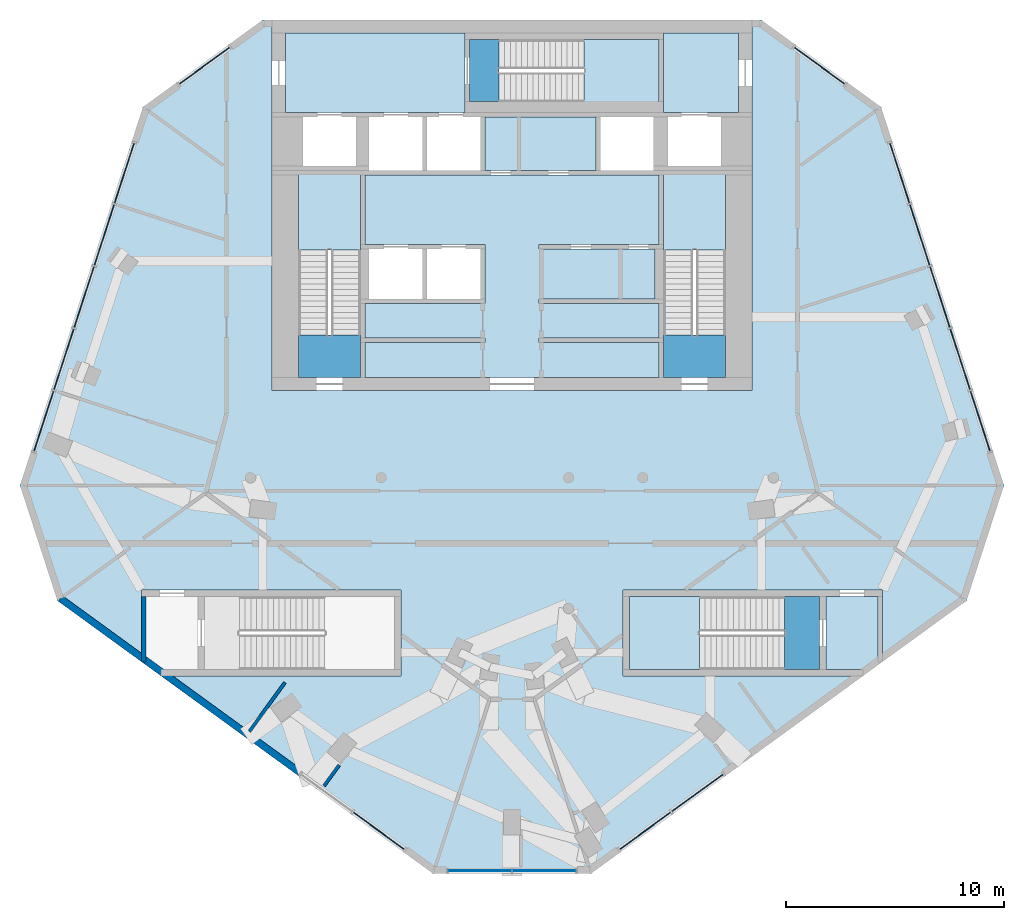
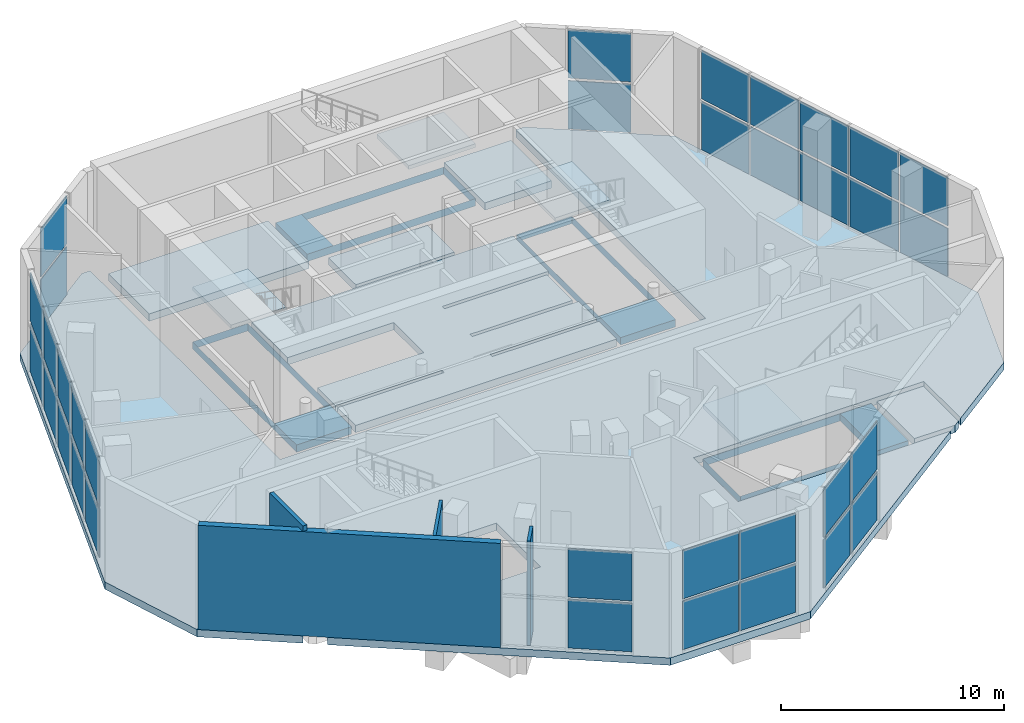
# One storey, part 5 of 11: 34 plates, 14 slabs, 4 walls, 11 elements without a shape of their own.
"""IFC4 building model written with IfcOpenShell, lengths in metres."""

from ifc_helpers import new_model, si_unit, direction, frame, frame_2d, origin, origin_2d, place, context, subcontext, project, spatial, polyline, rectangle, outline, extrude, material, layer, layer_set, type_object, element, aggregate, save


model = new_model("IFC4")

# Units and contexts
model_context = context("Model", 3, precision=1e-05, world=origin(), true_north=direction((0.0, 1.0)))
body_context = subcontext(model_context, "Body", "Model", "MODEL_VIEW")
ifc_project = project(units=[si_unit("LENGTHUNIT", "METRE"), si_unit("AREAUNIT", "SQUARE_METRE"), si_unit("VOLUMEUNIT", "CUBIC_METRE"), si_unit("PLANEANGLEUNIT", "RADIAN"), si_unit("MASSUNIT", "GRAM", prefix="KILO")], contexts=[model_context])

# Site, building, storey
site_placement = place(None, origin())
site = spatial("IfcSite", under=ifc_project, at=site_placement, CompositionType="ELEMENT")
building_placement = place(site_placement, origin())
building = spatial("IfcBuilding", under=site, at=building_placement, Name="White Candle Pilgrim Tower", CompositionType="ELEMENT")
storey_placement = place(building_placement, frame((0.0, 0.0, 300.10009765625)))
storey = spatial("IfcBuildingStorey", under=building, at=storey_placement, Name="L71", CompositionType="ELEMENT", Elevation=300.10009765625)

# Curtain wall, plates
ifc_material_1 = material(Name="Aluminium and glass", Category="aluminium")
curtain_wall_type = type_object("IfcCurtainWallType", Name="Curtain wall CW4 sky floor glazing", PredefinedType="NOTDEFINED", material=ifc_material_1)
curtain_wall_1_placement = place(storey_placement, origin())
curtain_wall_1 = element("IfcCurtainWall", 1, at=curtain_wall_1_placement, inside=storey, type_object=curtain_wall_type, Name="Curtain wall CW4 L71 SW", PredefinedType="NOTDEFINED")
ifc_material_2 = material(Name="Glass, triple glazed", Category="glass")
ifc_layer_1 = layer(ifc_material_2, 0.0439453125)
ifc_layer_set_1 = layer_set([ifc_layer_1], Name="CW4 glazing panel 44")
plate_type = type_object("IfcPlateType", Name="CW4 glazing panel 44", PredefinedType="CURTAIN_PANEL", material=ifc_layer_set_1)
plate_1_placement = place(storey_placement, frame((63.88623046875, 50.801025390625, 0.14013671875), z_axis=(0.0, 0.0, 1.0), x_axis=(0.809016988733, -0.587785260058, 0.0)))
plate_1 = element("IfcPlate", 2, at=plate_1_placement, type_object=plate_type, Name="CW4 panel 2.1", PredefinedType="CURTAIN_PANEL", context=body_context, shape_type="SweptSolid", body=[
    extrude(rectangle(XDim=2.8798828125, YDim=0.0439453125, at=origin_2d()), origin(), (0.0, 0.0, 1.0), 2.639892578125),
])
plate_2_placement = place(storey_placement, frame((63.88623046875, 50.801025390625, 2.919921875), z_axis=(0.0, 0.0, 1.0), x_axis=(0.809016988733, -0.587785260058, 0.0)))
plate_2 = element("IfcPlate", 3, at=plate_2_placement, type_object=plate_type, Name="CW4 panel 2.2", PredefinedType="CURTAIN_PANEL", context=body_context, shape_type="SweptSolid", body=[
    extrude(rectangle(XDim=2.8798828125, YDim=0.0439453125, at=origin_2d()), origin(), (0.0, 0.0, 1.0), 2.639892578125),
])
aggregate(curtain_wall_1, [plate_1, plate_2])

curtain_wall_2_placement = place(storey_placement, origin())
curtain_wall_2 = element("IfcCurtainWall", 4, at=curtain_wall_2_placement, inside=storey, type_object=curtain_wall_type, Name="Curtain wall CW4 L71 S chamfer", PredefinedType="NOTDEFINED")
plate_3_placement = place(storey_placement, frame((68.52001953125, 48.961181640625, 0.14013671875), z_axis=(0.0, 0.0, 1.0), x_axis=(1.0, 0.0, 0.0)))
plate_3 = element("IfcPlate", 5, at=plate_3_placement, type_object=plate_type, Name="CW4 panel 1.1", PredefinedType="CURTAIN_PANEL", context=body_context, shape_type="SweptSolid", body=[
    extrude(rectangle(XDim=2.8798828125, YDim=0.0439453125, at=origin_2d()), origin(), (0.0, 0.0, 1.0), 2.639892578125),
])
plate_4_placement = place(storey_placement, frame((68.52001953125, 48.961181640625, 2.919921875), z_axis=(0.0, 0.0, 1.0), x_axis=(1.0, 0.0, 0.0)))
plate_4 = element("IfcPlate", 6, at=plate_4_placement, type_object=plate_type, Name="CW4 panel 1.2", PredefinedType="CURTAIN_PANEL", context=body_context, shape_type="SweptSolid", body=[
    extrude(rectangle(XDim=2.8798828125, YDim=0.0439453125, at=origin_2d()), origin(), (0.0, 0.0, 1.0), 2.639892578125),
])
plate_5_placement = place(storey_placement, frame((71.47998046875, 48.961181640625, 0.14013671875), z_axis=(0.0, 0.0, 1.0), x_axis=(1.0, 0.0, 0.0)))
plate_5 = element("IfcPlate", 7, at=plate_5_placement, type_object=plate_type, Name="CW4 panel 2.1", PredefinedType="CURTAIN_PANEL", context=body_context, shape_type="SweptSolid", body=[
    extrude(rectangle(XDim=2.8798828125, YDim=0.0439453125, at=origin_2d()), origin(), (0.0, 0.0, 1.0), 2.639892578125),
])
plate_6_placement = place(storey_placement, frame((71.47998046875, 48.961181640625, 2.919921875), z_axis=(0.0, 0.0, 1.0), x_axis=(1.0, 0.0, 0.0)))
plate_6 = element("IfcPlate", 8, at=plate_6_placement, type_object=plate_type, Name="CW4 panel 2.2", PredefinedType="CURTAIN_PANEL", context=body_context, shape_type="SweptSolid", body=[
    extrude(rectangle(XDim=2.8798828125, YDim=0.0439453125, at=origin_2d()), origin(), (0.0, 0.0, 1.0), 2.639892578125),
])
aggregate(curtain_wall_2, [plate_3, plate_4, plate_5, plate_6])

curtain_wall_3_placement = place(storey_placement, origin())
curtain_wall_3 = element("IfcCurtainWall", 9, at=curtain_wall_3_placement, inside=storey, type_object=curtain_wall_type, Name="Curtain wall CW4 L71 SE", PredefinedType="NOTDEFINED")
plate_7_placement = place(storey_placement, frame((76.11376953125, 50.801025390625, 0.14013671875), z_axis=(0.0, 0.0, 1.0), x_axis=(0.809016988661, 0.587785260157, 0.0)))
plate_7 = element("IfcPlate", 10, at=plate_7_placement, type_object=plate_type, Name="CW4 panel 1.1", PredefinedType="CURTAIN_PANEL", context=body_context, shape_type="SweptSolid", body=[
    extrude(rectangle(XDim=2.8798828125, YDim=0.0439453125, at=origin_2d()), origin(), (0.0, 0.0, 1.0), 2.639892578125),
])
plate_8_placement = place(storey_placement, frame((76.11376953125, 50.801025390625, 2.919921875), z_axis=(0.0, 0.0, 1.0), x_axis=(0.809016988661, 0.587785260157, 0.0)))
plate_8 = element("IfcPlate", 11, at=plate_8_placement, type_object=plate_type, Name="CW4 panel 1.2", PredefinedType="CURTAIN_PANEL", context=body_context, shape_type="SweptSolid", body=[
    extrude(rectangle(XDim=2.8798828125, YDim=0.0439453125, at=origin_2d()), origin(), (0.0, 0.0, 1.0), 2.639892578125),
])
plate_9_placement = place(storey_placement, frame((78.508544921875, 52.541015625, 0.14013671875), z_axis=(0.0, 0.0, 1.0), x_axis=(0.809016988661, 0.587785260157, 0.0)))
plate_9 = element("IfcPlate", 12, at=plate_9_placement, type_object=plate_type, Name="CW4 panel 2.1", PredefinedType="CURTAIN_PANEL", context=body_context, shape_type="SweptSolid", body=[
    extrude(rectangle(XDim=2.8798828125, YDim=0.0439453125, at=origin_2d()), origin(), (0.0, 0.0, 1.0), 2.639892578125),
])
plate_10_placement = place(storey_placement, frame((78.508544921875, 52.541015625, 2.919921875), z_axis=(0.0, 0.0, 1.0), x_axis=(0.809016988661, 0.587785260157, 0.0)))
plate_10 = element("IfcPlate", 13, at=plate_10_placement, type_object=plate_type, Name="CW4 panel 2.2", PredefinedType="CURTAIN_PANEL", context=body_context, shape_type="SweptSolid", body=[
    extrude(rectangle(XDim=2.8798828125, YDim=0.0439453125, at=origin_2d()), origin(), (0.0, 0.0, 1.0), 2.639892578125),
])
aggregate(curtain_wall_3, [plate_7, plate_8, plate_9, plate_10])

curtain_wall_4_placement = place(storey_placement, origin())
curtain_wall_4 = element("IfcCurtainWall", 14, at=curtain_wall_4_placement, inside=storey, type_object=curtain_wall_type, Name="Curtain wall CW4 L71 ENE", PredefinedType="NOTDEFINED")
plate_11_placement = place(storey_placement, frame((91.48095703125, 69.60009765625, 0.14013671875), z_axis=(0.0, 0.0, 1.0), x_axis=(-0.309016978207, 0.951056521548, 0.0)))
plate_11 = element("IfcPlate", 15, at=plate_11_placement, type_object=plate_type, Name="CW4 panel 1.1", PredefinedType="CURTAIN_PANEL", context=body_context, shape_type="SweptSolid", body=[
    extrude(rectangle(XDim=2.8798828125, YDim=0.0439453125, at=origin_2d()), origin(), (0.0, 0.0, 1.0), 2.639892578125),
])
plate_12_placement = place(storey_placement, frame((91.48095703125, 69.60009765625, 2.919921875), z_axis=(0.0, 0.0, 1.0), x_axis=(-0.309016978207, 0.951056521548, 0.0)))
plate_12 = element("IfcPlate", 16, at=plate_12_placement, type_object=plate_type, Name="CW4 panel 1.2", PredefinedType="CURTAIN_PANEL", context=body_context, shape_type="SweptSolid", body=[
    extrude(rectangle(XDim=2.8798828125, YDim=0.0439453125, at=origin_2d()), origin(), (0.0, 0.0, 1.0), 2.639892578125),
])
plate_13_placement = place(storey_placement, frame((90.56005859375, 72.434326171875, 0.14013671875), z_axis=(0.0, 0.0, 1.0), x_axis=(-0.309016978207, 0.951056521548, 0.0)))
plate_13 = element("IfcPlate", 17, at=plate_13_placement, type_object=plate_type, Name="CW4 panel 2.1", PredefinedType="CURTAIN_PANEL", context=body_context, shape_type="SweptSolid", body=[
    extrude(rectangle(XDim=2.919921875, YDim=0.0439453125, at=origin_2d()), origin(), (0.0, 0.0, 1.0), 2.639892578125),
])
plate_14_placement = place(storey_placement, frame((90.56005859375, 72.434326171875, 2.919921875), z_axis=(0.0, 0.0, 1.0), x_axis=(-0.309016978207, 0.951056521548, 0.0)))
plate_14 = element("IfcPlate", 18, at=plate_14_placement, type_object=plate_type, Name="CW4 panel 2.2", PredefinedType="CURTAIN_PANEL", context=body_context, shape_type="SweptSolid", body=[
    extrude(rectangle(XDim=2.919921875, YDim=0.0439453125, at=origin_2d()), origin(), (0.0, 0.0, 1.0), 2.639892578125),
])
plate_15_placement = place(storey_placement, frame((89.633056640625, 75.287353515625, 0.14013671875), z_axis=(0.0, 0.0, 1.0), x_axis=(-0.309016978207, 0.951056521548, 0.0)))
plate_15 = element("IfcPlate", 19, at=plate_15_placement, type_object=plate_type, Name="CW4 panel 3.1", PredefinedType="CURTAIN_PANEL", context=body_context, shape_type="SweptSolid", body=[
    extrude(rectangle(XDim=2.919921875, YDim=0.0439453125, at=origin_2d()), origin(), (0.0, 0.0, 1.0), 2.639892578125),
])
plate_16_placement = place(storey_placement, frame((89.633056640625, 75.287353515625, 2.919921875), z_axis=(0.0, 0.0, 1.0), x_axis=(-0.309016978207, 0.951056521548, 0.0)))
plate_16 = element("IfcPlate", 20, at=plate_16_placement, type_object=plate_type, Name="CW4 panel 3.2", PredefinedType="CURTAIN_PANEL", context=body_context, shape_type="SweptSolid", body=[
    extrude(rectangle(XDim=2.919921875, YDim=0.0439453125, at=origin_2d()), origin(), (0.0, 0.0, 1.0), 2.639892578125),
])
plate_17_placement = place(storey_placement, frame((88.7060546875, 78.140625, 0.14013671875), z_axis=(0.0, 0.0, 1.0), x_axis=(-0.309016978207, 0.951056521548, 0.0)))
plate_17 = element("IfcPlate", 21, at=plate_17_placement, type_object=plate_type, Name="CW4 panel 4.1", PredefinedType="CURTAIN_PANEL", context=body_context, shape_type="SweptSolid", body=[
    extrude(rectangle(XDim=2.919921875, YDim=0.0439453125, at=origin_2d()), origin(), (0.0, 0.0, 1.0), 2.639892578125),
])
plate_18_placement = place(storey_placement, frame((88.7060546875, 78.140625, 2.919921875), z_axis=(0.0, 0.0, 1.0), x_axis=(-0.309016978207, 0.951056521548, 0.0)))
plate_18 = element("IfcPlate", 22, at=plate_18_placement, type_object=plate_type, Name="CW4 panel 4.2", PredefinedType="CURTAIN_PANEL", context=body_context, shape_type="SweptSolid", body=[
    extrude(rectangle(XDim=2.919921875, YDim=0.0439453125, at=origin_2d()), origin(), (0.0, 0.0, 1.0), 2.639892578125),
])
plate_19_placement = place(storey_placement, frame((87.78515625, 80.974853515625, 0.14013671875), z_axis=(0.0, 0.0, 1.0), x_axis=(-0.309016978207, 0.951056521548, 0.0)))
plate_19 = element("IfcPlate", 23, at=plate_19_placement, type_object=plate_type, Name="CW4 panel 5.1", PredefinedType="CURTAIN_PANEL", context=body_context, shape_type="SweptSolid", body=[
    extrude(rectangle(XDim=2.8798828125, YDim=0.0439453125, at=origin_2d()), origin(), (0.0, 0.0, 1.0), 2.639892578125),
])
plate_20_placement = place(storey_placement, frame((87.78515625, 80.974853515625, 2.919921875), z_axis=(0.0, 0.0, 1.0), x_axis=(-0.309016978207, 0.951056521548, 0.0)))
plate_20 = element("IfcPlate", 24, at=plate_20_placement, type_object=plate_type, Name="CW4 panel 5.2", PredefinedType="CURTAIN_PANEL", context=body_context, shape_type="SweptSolid", body=[
    extrude(rectangle(XDim=2.8798828125, YDim=0.0439453125, at=origin_2d()), origin(), (0.0, 0.0, 1.0), 2.639892578125),
])
aggregate(curtain_wall_4, [plate_11, plate_12, plate_13, plate_14, plate_15, plate_16, plate_17, plate_18, plate_19, plate_20])

curtain_wall_5_placement = place(storey_placement, origin())
curtain_wall_5 = element("IfcCurtainWall", 25, at=curtain_wall_5_placement, inside=storey, type_object=curtain_wall_type, Name="Curtain wall CW4 L71 NE chamfer", PredefinedType="NOTDEFINED")
plate_21_placement = place(storey_placement, frame((84.1103515625, 85.903076171875, 0.14013671875), z_axis=(0.0, 0.0, 1.0), x_axis=(-0.809017000222, 0.587785244244, 0.0)))
plate_21 = element("IfcPlate", 26, at=plate_21_placement, type_object=plate_type, Name="CW4 panel 1.1", PredefinedType="CURTAIN_PANEL", context=body_context, shape_type="SweptSolid", body=[
    extrude(rectangle(XDim=2.840087890625, YDim=0.0439453125, at=origin_2d()), origin(), (0.0, 0.0, 1.0), 2.639892578125),
])
plate_22_placement = place(storey_placement, frame((84.1103515625, 85.903076171875, 2.919921875), z_axis=(0.0, 0.0, 1.0), x_axis=(-0.809017000222, 0.587785244244, 0.0)))
plate_22 = element("IfcPlate", 27, at=plate_22_placement, type_object=plate_type, Name="CW4 panel 1.2", PredefinedType="CURTAIN_PANEL", context=body_context, shape_type="SweptSolid", body=[
    extrude(rectangle(XDim=2.840087890625, YDim=0.0439453125, at=origin_2d()), origin(), (0.0, 0.0, 1.0), 2.639892578125),
])
aggregate(curtain_wall_5, [plate_21, plate_22])

curtain_wall_6_placement = place(storey_placement, origin())
curtain_wall_6 = element("IfcCurtainWall", 28, at=curtain_wall_6_placement, inside=storey, type_object=curtain_wall_type, Name="Curtain wall CW4 L71 NW chamfer", PredefinedType="NOTDEFINED")
plate_23_placement = place(storey_placement, frame((55.8896484375, 85.903076171875, 0.14013671875), z_axis=(0.0, 0.0, 1.0), x_axis=(-0.809017000222, -0.587785244244, 0.0)))
plate_23 = element("IfcPlate", 29, at=plate_23_placement, type_object=plate_type, Name="CW4 panel 1.1", PredefinedType="CURTAIN_PANEL", context=body_context, shape_type="SweptSolid", body=[
    extrude(rectangle(XDim=2.840087890625, YDim=0.0439453125, at=origin_2d()), origin(), (0.0, 0.0, 1.0), 2.639892578125),
])
plate_24_placement = place(storey_placement, frame((55.8896484375, 85.903076171875, 2.919921875), z_axis=(0.0, 0.0, 1.0), x_axis=(-0.809017000222, -0.587785244244, 0.0)))
plate_24 = element("IfcPlate", 30, at=plate_24_placement, type_object=plate_type, Name="CW4 panel 1.2", PredefinedType="CURTAIN_PANEL", context=body_context, shape_type="SweptSolid", body=[
    extrude(rectangle(XDim=2.840087890625, YDim=0.0439453125, at=origin_2d()), origin(), (0.0, 0.0, 1.0), 2.639892578125),
])
aggregate(curtain_wall_6, [plate_23, plate_24])

curtain_wall_7_placement = place(storey_placement, origin())
curtain_wall_7 = element("IfcCurtainWall", 31, at=curtain_wall_7_placement, inside=storey, type_object=curtain_wall_type, Name="Curtain wall CW4 L71 WNW", PredefinedType="NOTDEFINED")
plate_25_placement = place(storey_placement, frame((52.21484375, 80.974853515625, 0.14013671875), z_axis=(0.0, 0.0, 1.0), x_axis=(-0.309016978207, -0.951056521548, 0.0)))
plate_25 = element("IfcPlate", 32, at=plate_25_placement, type_object=plate_type, Name="CW4 panel 1.1", PredefinedType="CURTAIN_PANEL", context=body_context, shape_type="SweptSolid", body=[
    extrude(rectangle(XDim=2.8798828125, YDim=0.0439453125, at=origin_2d()), origin(), (0.0, 0.0, 1.0), 2.639892578125),
])
plate_26_placement = place(storey_placement, frame((52.21484375, 80.974853515625, 2.919921875), z_axis=(0.0, 0.0, 1.0), x_axis=(-0.309016978207, -0.951056521548, 0.0)))
plate_26 = element("IfcPlate", 33, at=plate_26_placement, type_object=plate_type, Name="CW4 panel 1.2", PredefinedType="CURTAIN_PANEL", context=body_context, shape_type="SweptSolid", body=[
    extrude(rectangle(XDim=2.8798828125, YDim=0.0439453125, at=origin_2d()), origin(), (0.0, 0.0, 1.0), 2.639892578125),
])
plate_27_placement = place(storey_placement, frame((51.2939453125, 78.140625, 0.14013671875), z_axis=(0.0, 0.0, 1.0), x_axis=(-0.309016978207, -0.951056521548, 0.0)))
plate_27 = element("IfcPlate", 34, at=plate_27_placement, type_object=plate_type, Name="CW4 panel 2.1", PredefinedType="CURTAIN_PANEL", context=body_context, shape_type="SweptSolid", body=[
    extrude(rectangle(XDim=2.919921875, YDim=0.0439453125, at=origin_2d()), origin(), (0.0, 0.0, 1.0), 2.639892578125),
])
plate_28_placement = place(storey_placement, frame((51.2939453125, 78.140625, 2.919921875), z_axis=(0.0, 0.0, 1.0), x_axis=(-0.309016978207, -0.951056521548, 0.0)))
plate_28 = element("IfcPlate", 35, at=plate_28_placement, type_object=plate_type, Name="CW4 panel 2.2", PredefinedType="CURTAIN_PANEL", context=body_context, shape_type="SweptSolid", body=[
    extrude(rectangle(XDim=2.919921875, YDim=0.0439453125, at=origin_2d()), origin(), (0.0, 0.0, 1.0), 2.639892578125),
])
plate_29_placement = place(storey_placement, frame((50.366943359375, 75.287353515625, 0.14013671875), z_axis=(0.0, 0.0, 1.0), x_axis=(-0.309016978207, -0.951056521548, 0.0)))
plate_29 = element("IfcPlate", 36, at=plate_29_placement, type_object=plate_type, Name="CW4 panel 3.1", PredefinedType="CURTAIN_PANEL", context=body_context, shape_type="SweptSolid", body=[
    extrude(rectangle(XDim=2.919921875, YDim=0.0439453125, at=origin_2d()), origin(), (0.0, 0.0, 1.0), 2.639892578125),
])
plate_30_placement = place(storey_placement, frame((50.366943359375, 75.287353515625, 2.919921875), z_axis=(0.0, 0.0, 1.0), x_axis=(-0.309016978207, -0.951056521548, 0.0)))
plate_30 = element("IfcPlate", 37, at=plate_30_placement, type_object=plate_type, Name="CW4 panel 3.2", PredefinedType="CURTAIN_PANEL", context=body_context, shape_type="SweptSolid", body=[
    extrude(rectangle(XDim=2.919921875, YDim=0.0439453125, at=origin_2d()), origin(), (0.0, 0.0, 1.0), 2.639892578125),
])
plate_31_placement = place(storey_placement, frame((49.43994140625, 72.434326171875, 0.14013671875), z_axis=(0.0, 0.0, 1.0), x_axis=(-0.309016978207, -0.951056521548, 0.0)))
plate_31 = element("IfcPlate", 38, at=plate_31_placement, type_object=plate_type, Name="CW4 panel 4.1", PredefinedType="CURTAIN_PANEL", context=body_context, shape_type="SweptSolid", body=[
    extrude(rectangle(XDim=2.919921875, YDim=0.0439453125, at=origin_2d()), origin(), (0.0, 0.0, 1.0), 2.639892578125),
])
plate_32_placement = place(storey_placement, frame((49.43994140625, 72.434326171875, 2.919921875), z_axis=(0.0, 0.0, 1.0), x_axis=(-0.309016978207, -0.951056521548, 0.0)))
plate_32 = element("IfcPlate", 39, at=plate_32_placement, type_object=plate_type, Name="CW4 panel 4.2", PredefinedType="CURTAIN_PANEL", context=body_context, shape_type="SweptSolid", body=[
    extrude(rectangle(XDim=2.919921875, YDim=0.0439453125, at=origin_2d()), origin(), (0.0, 0.0, 1.0), 2.639892578125),
])
plate_33_placement = place(storey_placement, frame((48.51904296875, 69.60009765625, 0.14013671875), z_axis=(0.0, 0.0, 1.0), x_axis=(-0.309016978207, -0.951056521548, 0.0)))
plate_33 = element("IfcPlate", 40, at=plate_33_placement, type_object=plate_type, Name="CW4 panel 5.1", PredefinedType="CURTAIN_PANEL", context=body_context, shape_type="SweptSolid", body=[
    extrude(rectangle(XDim=2.8798828125, YDim=0.0439453125, at=origin_2d()), origin(), (0.0, 0.0, 1.0), 2.639892578125),
])
plate_34_placement = place(storey_placement, frame((48.51904296875, 69.60009765625, 2.919921875), z_axis=(0.0, 0.0, 1.0), x_axis=(-0.309016978207, -0.951056521548, 0.0)))
plate_34 = element("IfcPlate", 41, at=plate_34_placement, type_object=plate_type, Name="CW4 panel 5.2", PredefinedType="CURTAIN_PANEL", context=body_context, shape_type="SweptSolid", body=[
    extrude(rectangle(XDim=2.8798828125, YDim=0.0439453125, at=origin_2d()), origin(), (0.0, 0.0, 1.0), 2.639892578125),
])
aggregate(curtain_wall_7, [plate_25, plate_26, plate_27, plate_28, plate_29, plate_30, plate_31, plate_32, plate_33, plate_34])

# Slabs
ifc_material_3 = material(Name="Concrete C40/50", Category="concrete")
ifc_layer_2 = layer(ifc_material_3, 0.39990234375)
ifc_layer_set_2 = layer_set([ifc_layer_2], Name="Core floor slab 400 mm Concrete C40/50")
slab_type_1 = type_object("IfcSlabType", Name="Core floor slab 400 mm Concrete C40/50", PredefinedType="FLOOR", material=ifc_layer_set_2)
slab_1_placement = place(storey_placement, frame((0.0, 0.0, -0.400146484375)))
element("IfcSlab", 42, at=slab_1_placement, inside=storey, type_object=slab_type_1, Name="CF-L71-03", PredefinedType="FLOOR", context=body_context, shape_type="SweptSolid", body=[
    extrude(outline(polyline([(75.39990234375, 58.199951171875), (75.39990234375, 61.550048828125), (84.10009765625, 61.550048828125), (84.10009765625, 58.199951171875), (75.39990234375, 58.199951171875)]), holes=[polyline([(82.498046875, 58.201904296875), (82.498046875, 61.548095703125), (75.402099609375, 61.548095703125), (75.402099609375, 58.201904296875), (82.498046875, 58.201904296875)])]), origin(), (0.0, 0.0, 1.0), 0.400146484375),
])
slab_2_placement = place(storey_placement, frame((0.0, 0.0, -0.400146484375)))
element("IfcSlab", 43, at=slab_2_placement, inside=storey, type_object=slab_type_1, Name="CF-L71-04", PredefinedType="FLOOR", context=body_context, shape_type="SweptSolid", body=[
    extrude(outline(polyline([(86.800048828125, 58.555908203125), (86.800048828125, 58.41064453125), (86.510009765625, 58.199951171875), (86.09716796875, 58.199951171875), (84.39990234375, 58.199951171875), (84.39990234375, 61.550048828125), (86.800048828125, 61.550048828125), (86.800048828125, 58.555908203125)])), origin(), (0.0, 0.0, 1.0), 0.400146484375),
])
slab_3_placement = place(storey_placement, frame((0.0, 0.0, -0.400146484375)))
element("IfcSlab", 44, at=slab_3_placement, inside=storey, type_object=slab_type_1, Name="CF-L71-05", PredefinedType="FLOOR", context=body_context, shape_type="SweptSolid", body=[
    extrude(outline(polyline([(76.949951171875, 71.60009765625), (76.949951171875, 73.199951171875), (76.949951171875, 73.39990234375), (76.949951171875, 75.0), (76.949951171875, 75.199951171875), (76.949951171875, 77.5), (76.949951171875, 77.699951171875), (76.949951171875, 80.89990234375), (79.800048828125, 80.89990234375), (79.800048828125, 71.60009765625), (76.949951171875, 71.60009765625)]), holes=[polyline([(76.951904296875, 73.552001953125), (79.798095703125, 73.552001953125), (79.798095703125, 80.89794921875), (76.951904296875, 80.89794921875), (76.951904296875, 73.552001953125)])]), origin(), (0.0, 0.0, 1.0), 0.400146484375),
])
slab_4_placement = place(storey_placement, frame((0.0, 0.0, -0.400146484375)))
element("IfcSlab", 45, at=slab_4_placement, inside=storey, type_object=slab_type_1, Name="CF-L71-06", PredefinedType="FLOOR", context=body_context, shape_type="SweptSolid", body=[
    extrude(outline(polyline([(63.25, 71.60009765625), (63.25, 73.199951171875), (68.75, 73.199951171875), (68.75, 73.39990234375), (63.25, 73.39990234375), (63.25, 75.0), (68.75, 75.0), (68.75, 75.199951171875), (68.75, 77.5), (68.75, 77.699951171875), (63.25, 77.699951171875), (63.25, 80.89990234375), (76.75, 80.89990234375), (76.75, 77.699951171875), (71.25, 77.699951171875), (71.25, 77.5), (76.550048828125, 77.5), (76.550048828125, 75.199951171875), (71.25, 75.199951171875), (71.25, 75.0), (76.75, 75.0), (76.75, 73.39990234375), (71.25, 73.39990234375), (71.25, 73.199951171875), (76.75, 73.199951171875), (76.75, 71.60009765625), (63.25, 71.60009765625)])), origin(), (0.0, 0.0, 1.0), 0.400146484375),
])
slab_5_placement = place(storey_placement, frame((0.0, 0.0, -0.400146484375)))
element("IfcSlab", 46, at=slab_5_placement, inside=storey, type_object=slab_type_1, Name="CF-L71-07", PredefinedType="FLOOR", context=body_context, shape_type="SweptSolid", body=[
    extrude(outline(polyline([(60.199951171875, 71.60009765625), (60.199951171875, 80.89990234375), (63.050048828125, 80.89990234375), (63.050048828125, 77.699951171875), (63.050048828125, 77.5), (63.050048828125, 75.199951171875), (63.050048828125, 75.0), (63.050048828125, 73.39990234375), (63.050048828125, 73.199951171875), (63.050048828125, 71.60009765625), (60.199951171875, 71.60009765625)]), holes=[polyline([(60.201904296875, 73.552001953125), (63.048095703125, 73.552001953125), (63.048095703125, 80.89794921875), (60.201904296875, 80.89794921875), (60.201904296875, 73.552001953125)])]), origin(), (0.0, 0.0, 1.0), 0.400146484375),
])
slab_6_placement = place(storey_placement, frame((0.0, 0.0, -0.400146484375)))
element("IfcSlab", 47, at=slab_6_placement, inside=storey, type_object=slab_type_1, Name="CF-L71-08", PredefinedType="FLOOR", context=body_context, shape_type="SweptSolid", body=[
    extrude(outline(polyline([(59.60009765625, 87.39990234375), (67.85009765625, 87.39990234375), (67.85009765625, 87.10009765625), (67.85009765625, 84.25), (67.85009765625, 83.75), (59.60009765625, 83.75), (59.60009765625, 87.39990234375)])), origin(), (0.0, 0.0, 1.0), 0.400146484375),
])
slab_7_placement = place(storey_placement, frame((0.0, 0.0, -0.400146484375)))
element("IfcSlab", 48, at=slab_7_placement, inside=storey, type_object=slab_type_1, Name="CF-L71-09", PredefinedType="FLOOR", context=body_context, shape_type="SweptSolid", body=[
    extrude(outline(polyline([(80.39990234375, 87.39990234375), (80.39990234375, 83.75), (76.949951171875, 83.75), (76.949951171875, 84.25), (76.949951171875, 87.10009765625), (76.949951171875, 87.39990234375), (80.39990234375, 87.39990234375)])), origin(), (0.0, 0.0, 1.0), 0.400146484375),
])
slab_8_placement = place(storey_placement, frame((0.0, 0.0, -0.400146484375)))
element("IfcSlab", 49, at=slab_8_placement, inside=storey, type_object=slab_type_1, Name="CF-L71-10", PredefinedType="FLOOR", context=body_context, shape_type="SweptSolid", body=[
    extrude(outline(polyline([(68.050048828125, 87.10009765625), (76.75, 87.10009765625), (76.75, 84.25), (68.050048828125, 84.25), (68.050048828125, 87.10009765625)]), holes=[polyline([(69.402099609375, 87.097900390625), (69.402099609375, 84.251953125), (76.748046875, 84.251953125), (76.748046875, 87.097900390625), (69.402099609375, 87.097900390625)])]), origin(), (0.0, 0.0, 1.0), 0.400146484375),
])
slab_9_placement = place(storey_placement, frame((0.0, 0.0, -0.400146484375)))
element("IfcSlab", 50, at=slab_9_placement, inside=storey, type_object=slab_type_1, Name="CF-L71-11", PredefinedType="FLOOR", context=body_context, shape_type="SweptSolid", body=[
    extrude(outline(polyline([(73.85009765625, 83.550048828125), (73.85009765625, 81.10009765625), (68.75, 81.10009765625), (68.75, 83.550048828125), (73.85009765625, 83.550048828125)])), origin(), (0.0, 0.0, 1.0), 0.400146484375),
])
ifc_layer_3 = layer(ifc_material_3, 0.39990234375)
ifc_layer_set_3 = layer_set([ifc_layer_3], Name="Floor slab 400 REI 240")
slab_type_2 = type_object("IfcSlabType", Name="Floor slab 400 REI 240", PredefinedType="FLOOR", material=ifc_layer_set_3)
slab_10_placement = place(storey_placement, frame((0.0, 0.0, -0.400146484375)))
element("IfcSlab", 51, at=slab_10_placement, inside=storey, type_object=slab_type_2, Name="L71 floor slab", PredefinedType="FLOOR", context=body_context, shape_type="SweptSolid", body=[
    extrude(outline(polyline([(66.3779296875, 48.836181640625), (73.6220703125, 48.836181640625), (86.09716796875, 57.89990234375), (75.10009765625, 57.89990234375), (75.10009765625, 61.85009765625), (87.0, 61.85009765625), (87.0, 58.555908203125), (90.855224609375, 61.35693359375), (92.572998046875, 66.6435546875), (86.930908203125, 84.008544921875), (81.43701171875, 88.0), (81.0, 88.0), (81.0, 71.0), (59.0, 71.0), (59.0, 88.0), (58.56298828125, 88.0), (53.069091796875, 84.008544921875), (47.427001953125, 66.6435546875), (49.144775390625, 61.35693359375), (53.0, 58.555908203125), (53.0, 61.85009765625), (64.89990234375, 61.85009765625), (64.89990234375, 57.89990234375), (53.90283203125, 57.89990234375), (66.3779296875, 48.836181640625)])), origin(), (0.0, 0.0, 1.0), 0.400146484375),
])

# Stair, slab
stair_type_1 = type_object("IfcStairType", Name="Exit stair 1 flight width 1350 mm", PredefinedType="HALF_TURN_STAIR", material=ifc_material_3)
stair_1_placement = place(storey_placement, origin())
stair_1 = element("IfcStair", 52, at=stair_1_placement, inside=storey, type_object=stair_type_1, Name="L71 stair 1", PredefinedType="NOTDEFINED")
ifc_layer_4 = layer(ifc_material_3, 0.199951171875)
ifc_layer_set_4 = layer_set([ifc_layer_4], Name="Stair landing Concrete C40/50")
slab_type_3 = type_object("IfcSlabType", Name="Stair landing Concrete C40/50", PredefinedType="LANDING", material=ifc_layer_set_4)
slab_11_placement = place(storey_placement, frame((0.0, 0.0, 2.7998046875)))
slab_11 = element("IfcSlab", 53, at=slab_11_placement, type_object=slab_type_3, Name="ST1 landing 1", PredefinedType="LANDING", context=body_context, shape_type="SweptSolid", body=[
    extrude(outline(polyline([(63.052001953125, 77.447998046875), (60.197998046875, 77.447998046875), (60.197998046875, 80.902099609375), (63.052001953125, 80.902099609375), (63.052001953125, 77.447998046875)])), origin(), (0.0, 0.0, 1.0), 0.2001953125),
])
aggregate(stair_1, [slab_11])

stair_type_2 = type_object("IfcStairType", Name="Exit stair 2 flight width 1350 mm", PredefinedType="HALF_TURN_STAIR", material=ifc_material_3)
stair_2_placement = place(storey_placement, origin())
stair_2 = element("IfcStair", 54, at=stair_2_placement, inside=storey, type_object=stair_type_2, Name="L71 stair 2", PredefinedType="NOTDEFINED")
slab_12_placement = place(storey_placement, frame((0.0, 0.0, 2.7998046875)))
slab_12 = element("IfcSlab", 55, at=slab_12_placement, type_object=slab_type_3, Name="ST2 landing 1", PredefinedType="LANDING", context=body_context, shape_type="SweptSolid", body=[
    extrude(outline(polyline([(79.802001953125, 77.447998046875), (76.947998046875, 77.447998046875), (76.947998046875, 80.902099609375), (79.802001953125, 80.902099609375), (79.802001953125, 77.447998046875)])), origin(), (0.0, 0.0, 1.0), 0.2001953125),
])
aggregate(stair_2, [slab_12])

stair_type_3 = type_object("IfcStairType", Name="Exit stair 3 flight width 1350 mm", PredefinedType="HALF_TURN_STAIR", material=ifc_material_3)
stair_3_placement = place(storey_placement, origin())
stair_3 = element("IfcStair", 56, at=stair_3_placement, inside=storey, type_object=stair_type_3, Name="L71 stair 3", PredefinedType="NOTDEFINED")
slab_13_placement = place(storey_placement, frame((0.0, 0.0, 2.7998046875)))
slab_13 = element("IfcSlab", 57, at=slab_13_placement, type_object=slab_type_3, Name="ST3 landing 1", PredefinedType="LANDING", context=body_context, shape_type="SweptSolid", body=[
    extrude(outline(polyline([(73.298095703125, 84.248046875), (73.298095703125, 87.10205078125), (76.751953125, 87.10205078125), (76.751953125, 84.248046875), (73.298095703125, 84.248046875)])), origin(), (0.0, 0.0, 1.0), 0.2001953125),
])
aggregate(stair_3, [slab_13])

stair_type_4 = type_object("IfcStairType", Name="Exit stair 4 flight width 1600 mm", PredefinedType="HALF_TURN_STAIR", material=ifc_material_3)
stair_4_placement = place(storey_placement, origin())
stair_4 = element("IfcStair", 58, at=stair_4_placement, inside=storey, type_object=stair_type_4, Name="L71 stair 4", PredefinedType="NOTDEFINED")
slab_14_placement = place(storey_placement, frame((0.0, 0.0, 2.7998046875)))
slab_14 = element("IfcSlab", 59, at=slab_14_placement, type_object=slab_type_3, Name="ST4 landing 1", PredefinedType="LANDING", context=body_context, shape_type="SweptSolid", body=[
    extrude(outline(polyline([(78.60205078125, 61.552001953125), (78.60205078125, 58.197998046875), (75.39794921875, 58.197998046875), (75.39794921875, 61.552001953125), (78.60205078125, 61.552001953125)])), origin(), (0.0, 0.0, 1.0), 0.2001953125),
])
aggregate(stair_4, [slab_14])

# Walls
ifc_layer_5 = layer(ifc_material_3, 0.199951171875)
ifc_layer_set_5 = layer_set([ifc_layer_5], Name="Core wall 200 mm Concrete C40/50")
wall_type_1 = type_object("IfcWallType", Name="Core wall 200 mm Concrete C40/50", PredefinedType="SHEAR", material=ifc_layer_set_5)
wall_1_placement = place(storey_placement, frame((53.10009765625, 58.555908203125, 0.0), z_axis=(0.0, 0.0, 1.0), x_axis=(0.0, 1.0, 0.0)))
element("IfcWall", 60, at=wall_1_placement, inside=storey, type_object=wall_type_1, Name="WL-L71-C07", PredefinedType="SHEAR", context=body_context, shape_type="SweptSolid", body=[
    extrude(rectangle(XDim=2.994140625, YDim=0.199951171875, at=frame_2d((1.4970703125, 0.0))), origin(), (0.0, 0.0, 1.0), 6.0),
])
ifc_material_4 = material(Name="Precast concrete C40/50", Category="concrete")
ifc_layer_6 = layer(ifc_material_4, 0.320068359375)
ifc_layer_set_6 = layer_set([ifc_layer_6], Name="Facade wall EW1 precast concrete C40/50 pier wall with timber-lined reveals")
wall_type_2 = type_object("IfcWallType", Name="Facade wall EW1 precast concrete C40/50 pier wall with timber-lined reveals", PredefinedType="SOLIDWALL", material=ifc_layer_set_6)
wall_2_placement = place(storey_placement, frame((49.28076171875, 61.455810546875, 0.0), z_axis=(0.0, 0.0, 1.0), x_axis=(0.809018581772, -0.587783067422, 0.0)))
element("IfcWall", 61, at=wall_2_placement, inside=storey, type_object=wall_type_2, Name="Facade wall L71 SW", PredefinedType="SOLIDWALL", context=body_context, shape_type="SweptSolid", body=[
    extrude(rectangle(XDim=13.598876953125, YDim=0.320068359375, at=frame_2d((6.79931640625, 0.0))), origin(), (0.0, 0.0, 1.0), 5.699951171875),
])
ifc_material_5 = material(Name="Gypsum board on steel studs", Category="steel")
ifc_layer_7 = layer(ifc_material_5, 0.14990234375)
ifc_layer_set_7 = layer_set([ifc_layer_7], Name="Partition 150 mm EI 60")
wall_type_3 = type_object("IfcWallType", Name="Partition 150 mm EI 60", PredefinedType="PARTITIONING", material=ifc_layer_set_7)
wall_3_placement = place(storey_placement, frame((57.949462890625, 55.35546875, 0.0), z_axis=(0.0, 0.0, 1.0), x_axis=(0.58773733182, 0.809051808468, 0.0)))
element("IfcWall", 62, at=wall_3_placement, inside=storey, type_object=wall_type_3, Name="WL-L71-P025", PredefinedType="PARTITIONING", context=body_context, shape_type="SweptSolid", body=[
    extrude(rectangle(XDim=2.7744140625, YDim=0.14990234375, at=frame_2d((1.38720703125, 0.0))), origin(), (0.0, 0.0, 1.0), 5.699951171875),
])
wall_4_placement = place(storey_placement, frame((62.073486328125, 53.818603515625, 0.0), z_axis=(0.0, 0.0, 1.0), x_axis=(-0.587888869684, -0.808941701795, 0.0)))
element("IfcWall", 63, at=wall_4_placement, inside=storey, type_object=wall_type_3, Name="WL-L71-P031", PredefinedType="PARTITIONING", context=body_context, shape_type="SweptSolid", body=[
    extrude(rectangle(XDim=1.1806640625, YDim=0.14990234375, at=frame_2d((0.59033203125, 0.0))), origin(), (0.0, 0.0, 1.0), 5.699951171875),
])

save(model, "model.ifc")
